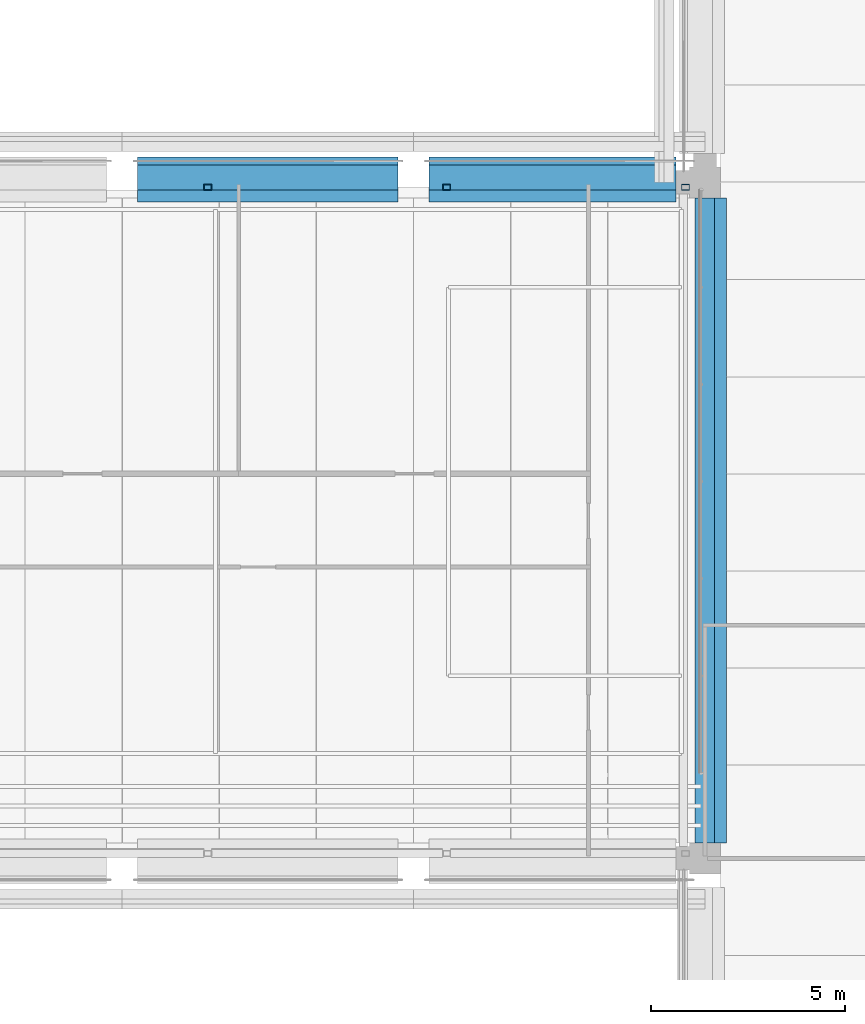
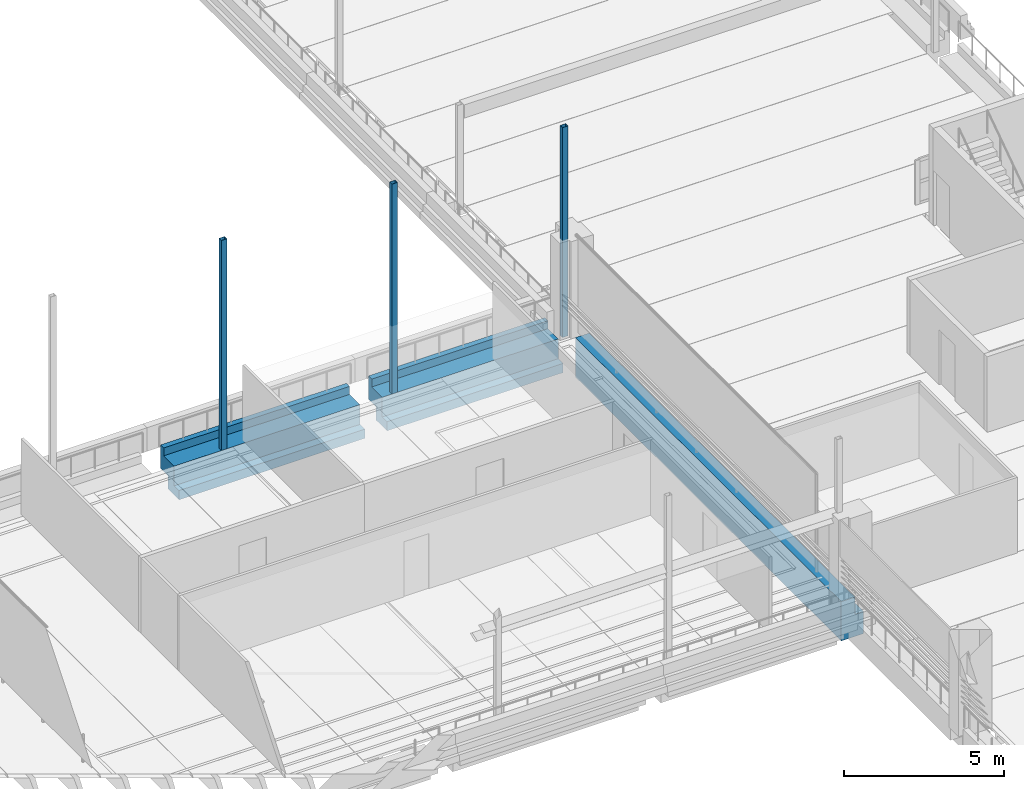
# One storey, part 26 of 62: 3 beams, 3 members.
"""IFC4 building model written with IfcOpenShell, lengths in metres."""

from ifc_helpers import new_model, si_unit, direction, frame, origin, origin_2d, place, context, subcontext, project, spatial, polyline, hollow_rectangle, outline, extrude, material, material_profile, profile_set, type_object, element, save


model = new_model("IFC4")

# Units and contexts
model_context = context("Model", 3, precision=1e-05, world=origin(), true_north=direction((0.0, 1.0)))
body_context = subcontext(model_context, "Body", "Model", "MODEL_VIEW")
ifc_project = project(units=[si_unit("LENGTHUNIT", "METRE"), si_unit("AREAUNIT", "SQUARE_METRE"), si_unit("VOLUMEUNIT", "CUBIC_METRE"), si_unit("PLANEANGLEUNIT", "RADIAN"), si_unit("MASSUNIT", "GRAM", prefix="KILO")], contexts=[model_context])

# Site, building, storey
site_placement = place(None, origin())
site = spatial("IfcSite", under=ifc_project, at=site_placement, CompositionType="ELEMENT")
building_placement = place(site_placement, origin())
building = spatial("IfcBuilding", under=site, at=building_placement, Name="Cour d'Honneur Mobility Palace", CompositionType="ELEMENT")
storey_placement = place(building_placement, frame((0.0, 0.0, 19.300048828125)))
storey = spatial("IfcBuildingStorey", under=building, at=storey_placement, Name="L05", CompositionType="ELEMENT", Elevation=19.300048828125)

# Beams
ifc_material_1 = material(Name="Concrete C45", Category="concrete")
ifc_material_profile_1 = material_profile(ifc_material_1, outline(polyline([(0.199951171875, -1.10009765625), (0.199951171875, -0.60009765625), (0.64990234375, -0.60009765625), (0.64990234375, 0.300048828125), (0.449951171875, 0.300048828125), (0.449951171875, 0.0), (0.199951171875, 0.0), (-0.199951171875, 0.0), (-0.199951171875, -0.75), (-0.5, -0.75), (-0.5, -1.10009765625), (0.199951171875, -1.10009765625)])), Name="Ledger Beam 400x1100 ledge right 350 facade left")
ifc_profile_set_1 = profile_set([ifc_material_profile_1], Name="Concrete C45")
beam_type_1 = type_object("IfcBeamType", Name="Ledger Beam 400x1100 ledge right 350 facade left", PredefinedType="BEAM", material=ifc_profile_set_1)
beam_1_placement = place(storey_placement, frame((130.300048828125, 62.39990234375, 0.0), z_axis=(1.0, 0.0, 0.0), x_axis=(0.0, 1.0, 0.0)))
element("IfcBeam", 1, at=beam_1_placement, inside=storey, type_object=beam_type_1, Name="Precast beam B4 17-18 L05", PredefinedType="BEAM", context=body_context, shape_type="SweptSolid", body=[
    extrude(outline(polyline([(0.199951171875, -1.10009765625), (0.199951171875, -0.60009765625), (0.64990234375, -0.60009765625), (0.64990234375, 0.300048828125), (0.449951171875, 0.300048828125), (0.449951171875, 0.0), (0.199951171875, 0.0), (-0.199951171875, 0.0), (-0.199951171875, -0.75), (-0.5, -0.75), (-0.5, -1.10009765625), (0.199951171875, -1.10009765625)])), origin(), (0.0, 0.0, 1.0), 6.699951171875),
])
beam_2_placement = place(storey_placement, frame((137.800048828125, 62.39990234375, 0.0), z_axis=(1.0, 0.0, 0.0), x_axis=(0.0, 1.0, 0.0)))
element("IfcBeam", 2, at=beam_2_placement, inside=storey, type_object=beam_type_1, Name="Precast beam B4 18-19 L05", PredefinedType="BEAM", context=body_context, shape_type="SweptSolid", body=[
    extrude(outline(polyline([(0.199951171875, -1.10009765625), (0.199951171875, -0.60009765625), (0.64990234375, -0.60009765625), (0.64990234375, 0.300048828125), (0.449951171875, 0.300048828125), (0.449951171875, 0.0), (0.199951171875, 0.0), (-0.199951171875, 0.0), (-0.199951171875, -0.75), (-0.5, -0.75), (-0.5, -1.10009765625), (0.199951171875, -1.10009765625)])), origin(), (0.0, 0.0, 1.0), 6.349853515625),
])
ifc_material_2 = material(Name="Concrete C45", Category="concrete")
ifc_material_profile_2 = material_profile(ifc_material_2, outline(polyline([(0.25, -1.5), (0.25, 0.0), (-0.25, 0.0), (-0.25, -0.64990234375), (-0.550048828125, -0.64990234375), (-0.550048828125, -1.5), (0.25, -1.5)])), Name="Ledger Beam 500x1500 ledge right 850 plain")
ifc_profile_set_2 = profile_set([ifc_material_profile_2], Name="Concrete C45")
beam_type_2 = type_object("IfcBeamType", Name="Ledger Beam 500x1500 ledge right 850 plain", PredefinedType="BEAM", material=ifc_profile_set_2)
beam_3_placement = place(storey_placement, frame((144.89990234375, 45.39990234375, 0.0), z_axis=(0.0, 1.0, 0.0), x_axis=(-1.0, 0.0, 0.0)))
element("IfcBeam", 3, at=beam_3_placement, inside=storey, type_object=beam_type_2, Name="Precast beam B16 G-H L05", PredefinedType="BEAM", context=body_context, shape_type="SweptSolid", body=[
    extrude(outline(polyline([(0.25, -1.5), (0.25, 0.0), (-0.25, 0.0), (-0.25, -0.64990234375), (-0.550048828125, -0.64990234375), (-0.550048828125, -1.5), (0.25, -1.5)])), origin(), (0.0, 0.0, 1.0), 16.60009765625),
])

# Members
ifc_material_3 = material(Name="Steel S355", Category="steel")
ifc_material_profile_3 = material_profile(ifc_material_3, hollow_rectangle(XDim=0.14990234375, YDim=0.199951171875, WallThickness=0.008056640625, at=origin_2d()), Name="RHS 200x150x8")
ifc_profile_set_3 = profile_set([ifc_material_profile_3], Name="Steel S355")
member_type = type_object("IfcMemberType", Name="Pergola post RHS 200x150x8", PredefinedType="POST", material=ifc_profile_set_3)
for number, where, z_axis, x_axis, name in (
    (4, (132.10009765625, 62.27490234375, 0.0), (0.0, 0.0, 1.0), (0.0, 1.0, 0.0), "Pergola post FE-N3"),
    (5, (138.25, 62.27490234375, 0.0), (0.0, 0.0, 1.0), (0.0, 1.0, 0.0), "Pergola post FE-N4"),
    (6, (144.39990234375, 62.27490234375, 0.0), (0.0, 0.0, 1.0), (0.0, 1.0, 0.0), "Pergola post FE-N5"),
):
    element("IfcMember", number, at=place(storey_placement, frame(where, z_axis=z_axis, x_axis=x_axis)), inside=storey, type_object=member_type, Name=name, PredefinedType="POST", context=body_context, shape_type="SweptSolid", body=[
        extrude(hollow_rectangle(XDim=0.14990234375, YDim=0.199951171875, WallThickness=0.008056640625, at=origin_2d()), origin(), (0.0, 0.0, 1.0), 8.0),
    ])

save(model, "model.ifc")
